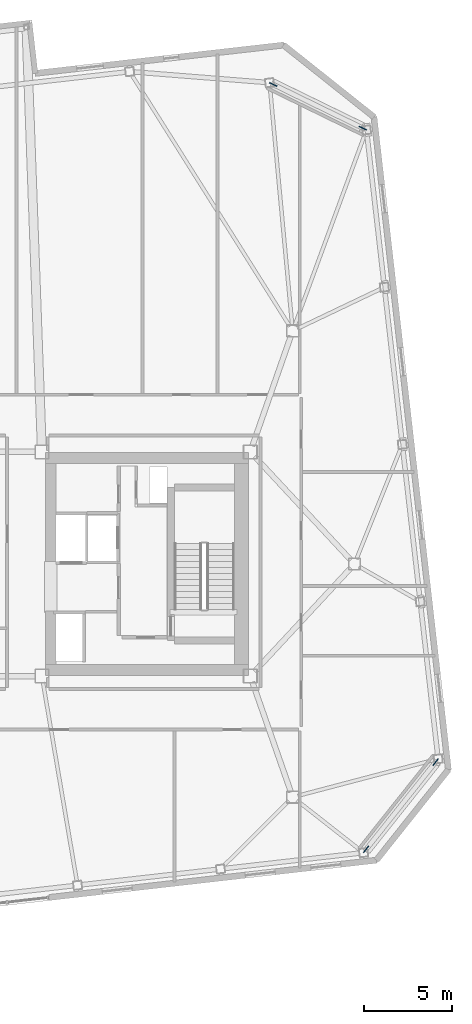
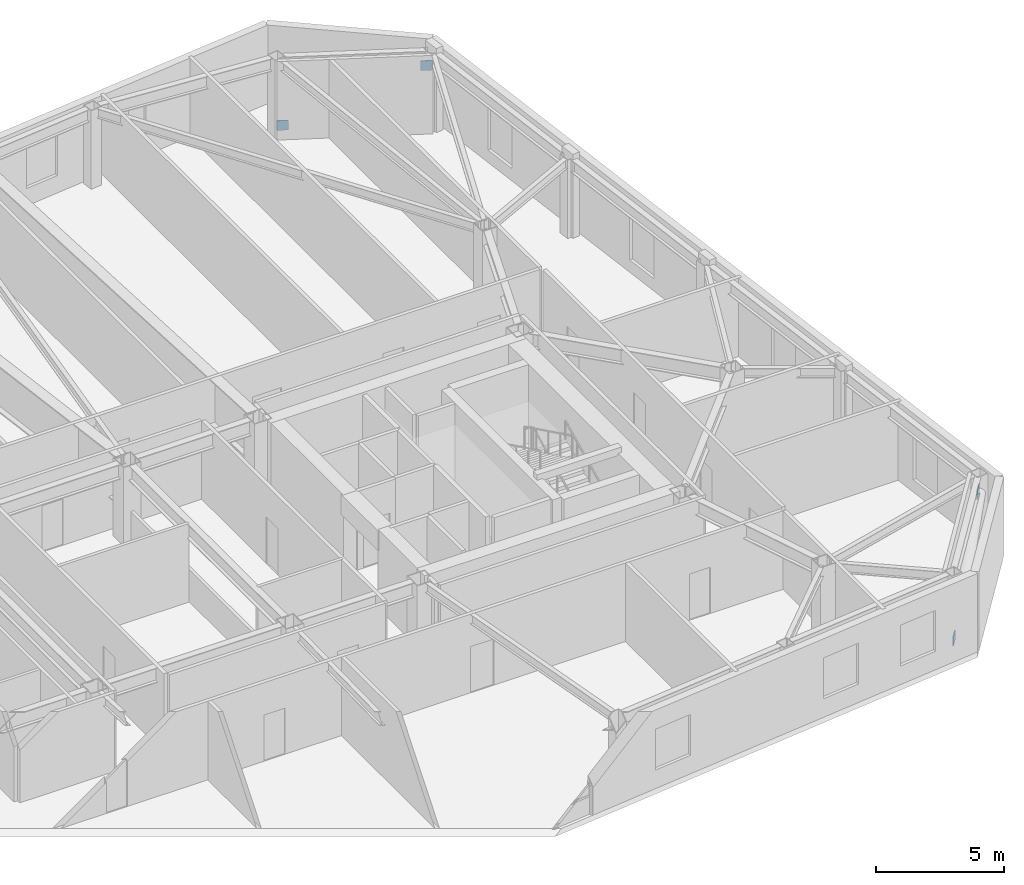
# One storey, part 18 of 19: 4 discrete accessories.
"""IFC4 building model written with IfcOpenShell, lengths in metres."""

from ifc_helpers import new_model, si_unit, direction, frame, origin, origin_2d, place, context, subcontext, project, spatial, rectangle, extrude, material, type_object, element, save


model = new_model("IFC4")

# Units and contexts
model_context = context("Model", 3, precision=1e-05, world=origin(), true_north=direction((0.0, 1.0)))
body_context = subcontext(model_context, "Body", "Model", "MODEL_VIEW")
ifc_project = project(units=[si_unit("LENGTHUNIT", "METRE"), si_unit("AREAUNIT", "SQUARE_METRE"), si_unit("VOLUMEUNIT", "CUBIC_METRE"), si_unit("PLANEANGLEUNIT", "RADIAN"), si_unit("MASSUNIT", "GRAM", prefix="KILO")], contexts=[model_context])

# Site, building, storey
site_placement = place(None, origin())
site = spatial("IfcSite", under=ifc_project, at=site_placement, CompositionType="ELEMENT")
building_placement = place(site_placement, origin())
building = spatial("IfcBuilding", under=site, at=building_placement, Name="Tavrogorsk Clinical Tower", CompositionType="ELEMENT")
storey_placement = place(building_placement, frame((0.0, 0.0, 243.0)))
storey = spatial("IfcBuildingStorey", under=building, at=storey_placement, Name="L56", CompositionType="ELEMENT", Elevation=243.0)

# Discrete accessories
ifc_material = material(Name="Structural steel S440", Category="steel")
discrete_accessory_type = type_object("IfcDiscreteAccessoryType", Name="GussetPlateBracket_25", PredefinedType="BRACKET", material=ifc_material)
for number, where, z_axis, x_axis, name in (
    (1, (28.6572265625, -16.15869140625, 0.168212890625), (0.0, 0.0, 1.0), (0.622514636638, 0.782608156852, 0.0), "L56 Brace Gusset Plate EXOCRN-L56-1-A"),
    (2, (32.5859375, -11.2197265625, 2.761962890625), (0.0, 0.0, 1.0), (0.622514636638, 0.782608156852, 0.0), "L56 Brace Gusset Plate EXOCRN-L56-1-B"),
    (3, (23.399169921875, 27.150634765625, 0.17724609375), (0.0, 0.0, 1.0), (0.898794046299, -0.438371146789, 0.0), "L56 Brace Gusset Plate EXOCRN-L56-2-A"),
    (4, (28.46630859375, 24.679443359375, 2.7529296875), (0.0, 0.0, 1.0), (0.898794046299, -0.438371146789, 0.0), "L56 Brace Gusset Plate EXOCRN-L56-2-B"),
):
    element("IfcDiscreteAccessory", number, at=place(storey_placement, frame(where, z_axis=z_axis, x_axis=x_axis)), inside=storey, type_object=discrete_accessory_type, Name=name, PredefinedType="BRACKET", context=body_context, shape_type="SweptSolid", body=[
        extrude(rectangle(XDim=0.4599609375, YDim=0.0400390625, at=origin_2d()), origin(), (0.0, 0.0, 1.0), 0.4599609375),
    ])

save(model, "model.ifc")
